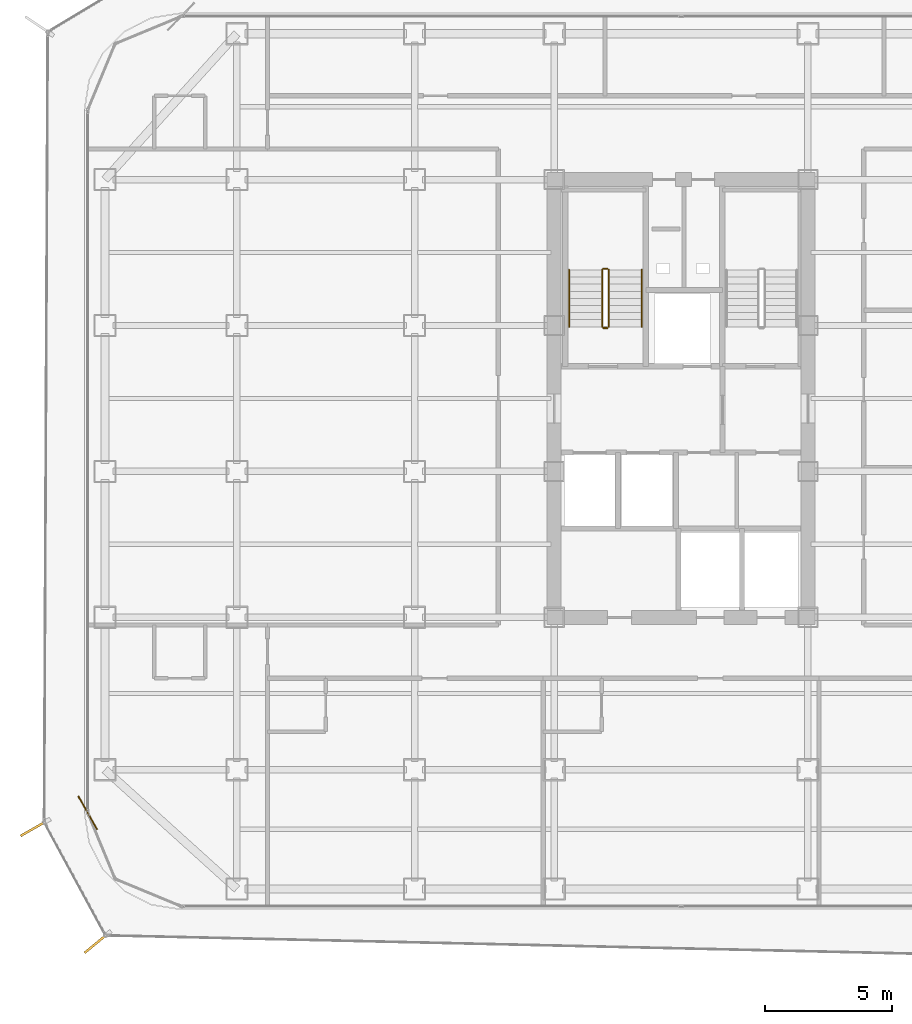
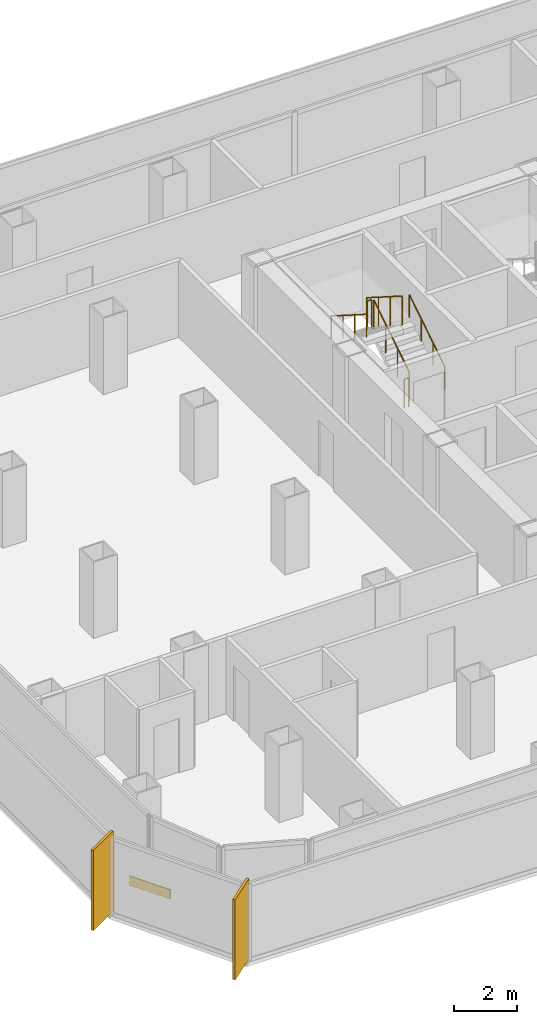
# One storey, part 19 of 21: 6 railings, 2 shading devices, 1 covering.
"""IFC4 building model written with IfcOpenShell, lengths in metres."""

from ifc_helpers import new_model, si_unit, direction, frame, origin, origin_2d, place, context, subcontext, project, spatial, rectangle, circle, extrude, source, transform, mapped, material, layer, layer_set, type_object, element, save


model = new_model("IFC4")

# Units and contexts
model_context = context("Model", 3, precision=1e-05, world=origin(), true_north=direction((0.0, 1.0)))
body_context = subcontext(model_context, "Body", "Model", "MODEL_VIEW")
ifc_project = project(units=[si_unit("LENGTHUNIT", "METRE"), si_unit("AREAUNIT", "SQUARE_METRE"), si_unit("VOLUMEUNIT", "CUBIC_METRE"), si_unit("PLANEANGLEUNIT", "RADIAN"), si_unit("MASSUNIT", "GRAM", prefix="KILO")], contexts=[model_context])

# Site, building, storey
site_placement = place(None, origin())
site = spatial("IfcSite", under=ifc_project, at=site_placement, CompositionType="ELEMENT")
building_placement = place(site_placement, origin())
building = spatial("IfcBuilding", under=site, at=building_placement, Name="Kolveth Station Tower", CompositionType="ELEMENT")
storey_placement = place(building_placement, frame((0.0, 0.0, 118.300048828125)))
storey = spatial("IfcBuildingStorey", under=building, at=storey_placement, Name="L32", CompositionType="ELEMENT", Elevation=118.300048828125)

# Railings
ifc_material_1 = material(Name="Painted Steel S355 balustrade", Category="steel")
railing_type_1 = type_object("IfcRailingType", Name="Guard_GR2", PredefinedType="BALUSTRADE", material=ifc_material_1)
railing_1_placement = place(storey_placement, frame((20.64990234375, 22.949951171875, 0.177734375)))
element("IfcRailing", 1, at=railing_1_placement, inside=storey, type_object=railing_type_1, Name="L32 ST1 stair guard 1", PredefinedType="BALUSTRADE", context=body_context, shape_type="SweptSolid", body=[
    extrude(circle(Radius=0.02392578125, at=origin_2d()), frame((0.0, 0.0, 1.1259765625), z_axis=(0.0, 0.8442293374, 0.53598211339), x_axis=(-1.0, 0.0, 0.0)), (0.0, 0.0, 1.0), 2.6533203125),
    extrude(circle(Radius=0.02099609375, at=origin_2d()), origin(), (0.0, 0.0, 1.0), 1.101806640625),
    extrude(circle(Radius=0.02099609375, at=origin_2d()), frame((0.0, 0.74658203125, 0.47412109375)), (0.0, 0.0, 1.0), 1.101806640625),
    extrude(circle(Radius=0.02099609375, at=origin_2d()), frame((0.0, 1.493408203125, 0.947998046875)), (0.0, 0.0, 1.0), 1.101806640625),
    extrude(circle(Radius=0.02099609375, at=origin_2d()), frame((0.0, 2.239990234375, 1.422119140625)), (0.0, 0.0, 1.0), 1.101806640625),
])
railing_2_placement = place(storey_placement, frame((20.60009765625, 25.239990234375, 1.599853515625)))
element("IfcRailing", 2, at=railing_2_placement, inside=storey, type_object=railing_type_1, Name="L32 ST1 stair guard 2", PredefinedType="BALUSTRADE", context=body_context, shape_type="SweptSolid", body=[
    extrude(circle(Radius=0.02392578125, at=origin_2d()), frame((0.0, 0.0, 1.1259765625), z_axis=(-1.0, 0.0, 0.0), x_axis=(0.0, -1.0, 0.0)), (0.0, 0.0, 1.0), 0.16015625),
    extrude(circle(Radius=0.02099609375, at=origin_2d()), origin(), (0.0, 0.0, 1.0), 1.101806640625),
    extrude(circle(Radius=0.02099609375, at=origin_2d()), frame((-0.16015625, 0.0, 0.0)), (0.0, 0.0, 1.0), 1.101806640625),
])
railing_3_placement = place(storey_placement, frame((20.389892578125, 25.18994140625, 1.77783203125)))
element("IfcRailing", 3, at=railing_3_placement, inside=storey, type_object=railing_type_1, Name="L32 ST1 stair guard 3", PredefinedType="BALUSTRADE", context=body_context, shape_type="SweptSolid", body=[
    extrude(circle(Radius=0.02392578125, at=origin_2d()), frame((0.0, 0.0, 1.1259765625), z_axis=(0.0, -0.8442293374, 0.53598211339), x_axis=(1.0, 0.0, 0.0)), (0.0, 0.0, 1.0), 2.6533203125),
    extrude(circle(Radius=0.02099609375, at=origin_2d()), origin(), (0.0, 0.0, 1.0), 1.101806640625),
    extrude(circle(Radius=0.02099609375, at=origin_2d()), frame((0.0, -0.74658203125, 0.47412109375)), (0.0, 0.0, 1.0), 1.101806640625),
    extrude(circle(Radius=0.02099609375, at=origin_2d()), frame((0.0, -1.493408203125, 0.947998046875)), (0.0, 0.0, 1.0), 1.101806640625),
    extrude(circle(Radius=0.02099609375, at=origin_2d()), frame((0.0, -2.239990234375, 1.422119140625)), (0.0, 0.0, 1.0), 1.101806640625),
])
railing_4_placement = place(storey_placement, frame((20.60009765625, 22.89990234375, 0.0)))
element("IfcRailing", 4, at=railing_4_placement, inside=storey, type_object=railing_type_1, Name="L32 ST1 stair guard 4", PredefinedType="BALUSTRADE", context=body_context, shape_type="SweptSolid", body=[
    extrude(circle(Radius=0.02392578125, at=origin_2d()), frame((0.0, 0.0, 1.1259765625), z_axis=(-1.0, 0.0, 0.0), x_axis=(0.0, -1.0, 0.0)), (0.0, 0.0, 1.0), 0.16015625),
    extrude(circle(Radius=0.02099609375, at=origin_2d()), origin(), (0.0, 0.0, 1.0), 1.101806640625),
    extrude(circle(Radius=0.02099609375, at=origin_2d()), frame((-0.16015625, 0.0, 0.0)), (0.0, 0.0, 1.0), 1.101806640625),
])
ifc_material_2 = material(Name="Brushed stainless steel", Category="steel")
railing_type_2 = type_object("IfcRailingType", Name="Handrail_HR1", PredefinedType="HANDRAIL", material=ifc_material_2)
railing_5_placement = place(storey_placement, frame((21.949951171875, 22.949951171875, 0.177734375)))
element("IfcRailing", 5, at=railing_5_placement, inside=storey, type_object=railing_type_2, Name="L32 ST1 stair handrail 1", PredefinedType="HANDRAIL", context=body_context, shape_type="SweptSolid", body=[
    extrude(circle(Radius=0.02392578125, at=origin_2d()), frame((0.0, 0.0, 0.8759765625), z_axis=(0.0, 0.8442293374, 0.53598211339), x_axis=(-1.0, 0.0, 0.0)), (0.0, 0.0, 1.0), 2.6533203125),
    extrude(circle(Radius=0.02099609375, at=origin_2d()), origin(), (0.0, 0.0, 1.0), 0.851806640625),
    extrude(circle(Radius=0.02099609375, at=origin_2d()), frame((0.0, 0.74658203125, 0.47412109375)), (0.0, 0.0, 1.0), 0.851806640625),
    extrude(circle(Radius=0.02099609375, at=origin_2d()), frame((0.0, 1.493408203125, 0.947998046875)), (0.0, 0.0, 1.0), 0.851806640625),
    extrude(circle(Radius=0.02099609375, at=origin_2d()), frame((0.0, 2.239990234375, 1.422119140625)), (0.0, 0.0, 1.0), 0.851806640625),
])
railing_6_placement = place(storey_placement, frame((19.090087890625, 25.18994140625, 1.77783203125)))
element("IfcRailing", 6, at=railing_6_placement, inside=storey, type_object=railing_type_2, Name="L32 ST1 stair handrail 2", PredefinedType="HANDRAIL", context=body_context, shape_type="SweptSolid", body=[
    extrude(circle(Radius=0.02392578125, at=origin_2d()), frame((0.0, 0.0, 0.8759765625), z_axis=(0.0, -0.8442293374, 0.53598211339), x_axis=(1.0, 0.0, 0.0)), (0.0, 0.0, 1.0), 2.6533203125),
    extrude(circle(Radius=0.02099609375, at=origin_2d()), origin(), (0.0, 0.0, 1.0), 0.851806640625),
    extrude(circle(Radius=0.02099609375, at=origin_2d()), frame((0.0, -0.74658203125, 0.47412109375)), (0.0, 0.0, 1.0), 0.851806640625),
    extrude(circle(Radius=0.02099609375, at=origin_2d()), frame((0.0, -1.493408203125, 0.947998046875)), (0.0, 0.0, 1.0), 0.851806640625),
    extrude(circle(Radius=0.02099609375, at=origin_2d()), frame((0.0, -2.239990234375, 1.422119140625)), (0.0, 0.0, 1.0), 0.851806640625),
])

# Shading devices
ifc_material_3 = material(Name="Black anodized aluminium 6063-T6", Category="aluminium")
shading_device_type = type_object("IfcShadingDeviceType", Name="FIN_VF1", PredefinedType="USERDEFINED", material=ifc_material_3)
shared_shape_1 = source(origin(), body_context, "Body", "SweptSolid", [
    extrude(rectangle(XDim=1.25, YDim=0.090087890625, at=origin_2d()), origin(), (0.0, 0.0, 1.0), 3.10009765625),
])
for number, where, z_axis, x_axis, name in (
    (7, (-1.98095703125, 3.197998046875, 0.0), (0.0, 0.0, 1.0), (-0.869839554062, -0.493334724289, 0.0), "L32 Dark-Aluminium Solar Fin 7"),
    (8, (0.47900390625, -1.322021484375, 0.0), (0.0, 0.0, 1.0), (-0.771735588227, -0.635943536695, 0.0), "L32 Dark-Aluminium Solar Fin 8"),
):
    element("IfcShadingDevice", number, at=place(storey_placement, frame(where, z_axis=z_axis, x_axis=x_axis)), inside=storey, type_object=shading_device_type, Name=name, ObjectType="FIN", PredefinedType="USERDEFINED", context=body_context, shape_type="MappedRepresentation", body=[
        mapped(shared_shape_1, transform((0.0, 0.0, 0.0), x_axis=(1.0, 0.0, 0.0), y_axis=(0.0, 1.0, 0.0), z_axis=(0.0, 0.0, 1.0), scale=1.0)),
    ])

# Covering
ifc_material_4 = material(Name="Charcoal anodized aluminium spandrel cladding", Category="aluminium")
ifc_layer = layer(ifc_material_4, 0.044921875)
ifc_layer_set = layer_set([ifc_layer], Name="Charcoal anodized aluminium spandrel cladding")
covering_type = type_object("IfcCoveringType", Name="Clad_CD1", PredefinedType="CLADDING", material=ifc_layer_set)
shared_shape_2 = source(origin(), body_context, "Body", "SweptSolid", [
    extrude(rectangle(XDim=1.5, YDim=0.044921875, at=origin_2d()), origin(), (0.0, 0.0, 1.0), 0.360107421875),
])
covering_placement = place(storey_placement, frame((0.1201171875, 3.800048828125, 0.0), z_axis=(0.0, 0.0, 1.0), x_axis=(0.493334724289, -0.869839554062, 0.0)))
element("IfcCovering", 9, at=covering_placement, inside=storey, type_object=covering_type, Name="L32 Spandrel Edge Cladding 7", PredefinedType="CLADDING", context=body_context, shape_type="MappedRepresentation", body=[
    mapped(shared_shape_2, transform((0.0, 0.0, 0.0), x_axis=(1.0, 0.0, 0.0), y_axis=(0.0, 1.0, 0.0), z_axis=(0.0, 0.0, 1.0), scale=1.0)),
])

save(model, "model.ifc")
